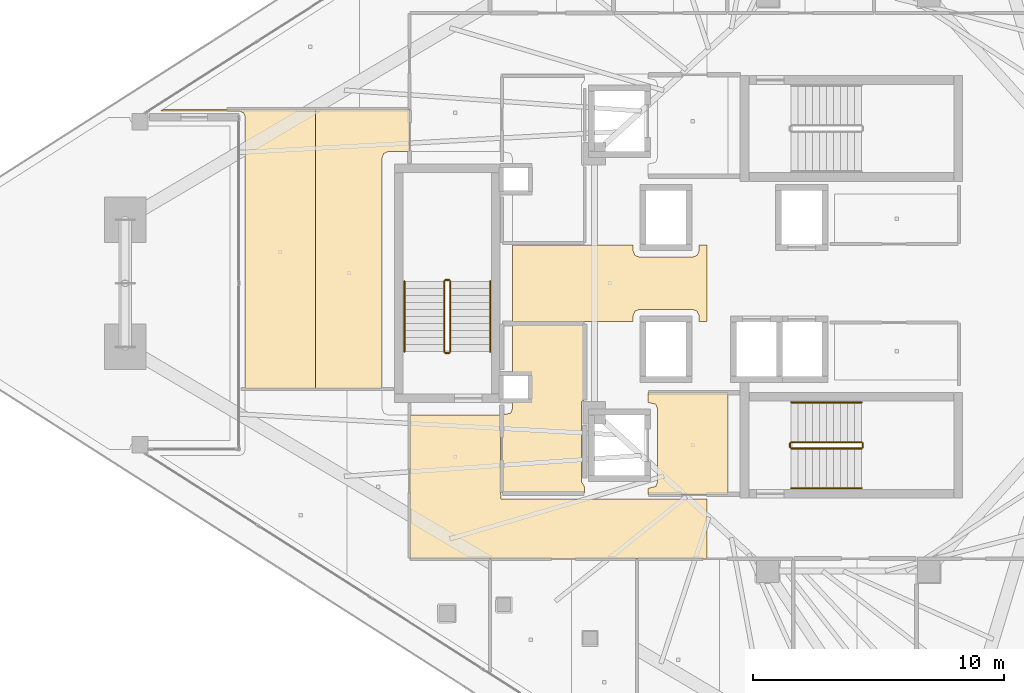
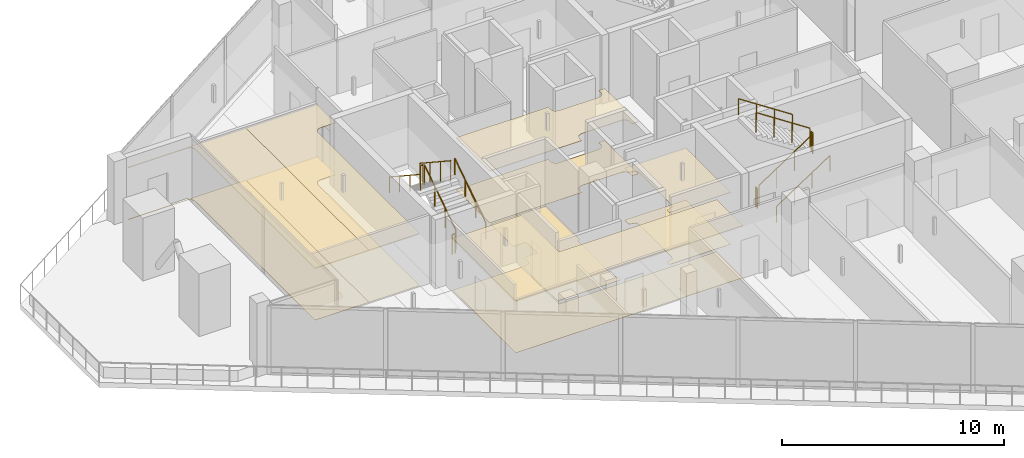
# One storey, part 32 of 36: 12 railings, 11 coverings.
"""IFC4 building model written with IfcOpenShell, lengths in metres."""

from ifc_helpers import new_model, si_unit, direction, frame, origin, origin_2d, place, context, subcontext, project, spatial, polyline, circle, outline, extrude, material, layer, layer_set, type_object, element, save


model = new_model("IFC4")

# Units and contexts
model_context = context("Model", 3, precision=1e-05, world=origin(), true_north=direction((0.0, 1.0)))
body_context = subcontext(model_context, "Body", "Model", "MODEL_VIEW")
ifc_project = project(units=[si_unit("LENGTHUNIT", "METRE"), si_unit("AREAUNIT", "SQUARE_METRE"), si_unit("VOLUMEUNIT", "CUBIC_METRE"), si_unit("PLANEANGLEUNIT", "RADIAN"), si_unit("MASSUNIT", "GRAM", prefix="KILO")], contexts=[model_context])

# Site, building, storey
site_placement = place(None, origin())
site = spatial("IfcSite", under=ifc_project, at=site_placement, CompositionType="ELEMENT")
building_placement = place(site_placement, origin())
building = spatial("IfcBuilding", under=site, at=building_placement, Name="Qorvath Tower", CompositionType="ELEMENT")
storey_placement = place(building_placement, frame((0.0, 0.0, 229.35009765625)))
storey = spatial("IfcBuildingStorey", under=building, at=storey_placement, Name="L53", CompositionType="ELEMENT", Elevation=229.35009765625)

# Coverings
ifc_material_1 = material(Name="Acoustic mineral fibre ceiling tile", Category="gypsum")
ifc_layer_1 = layer(ifc_material_1, 0.030029296875)
ifc_layer_set_1 = layer_set([ifc_layer_1], Name="COV-CEIL")
covering_type_1 = type_object("IfcCoveringType", Name="COV-CEIL", PredefinedType="CEILING", material=ifc_layer_set_1)
covering_1_placement = place(storey_placement, frame((0.0, 0.0, 2.849853515625)))
element("IfcCovering", 1, at=covering_1_placement, inside=storey, type_object=covering_type_1, Name="L53 Suspended Acoustic Ceiling 002", PredefinedType="CEILING", context=body_context, shape_type="SweptSolid", body=[
    extrude(outline(polyline([(-25.18994140625, -8.39501953125), (-25.18994140625, -4.35498046875), (-28.375, -4.35498046875), (-28.375, -4.739990234375), (-28.063232421875, -4.813232421875), (-27.989990234375, -4.989990234375), (-27.989990234375, -7.909912109375), (-28.063232421875, -8.086669921875), (-28.375, -8.159912109375), (-28.375, -8.39501953125), (-25.18994140625, -8.39501953125)])), origin(), (0.0, 0.0, 1.0), 0.030029296875),
])
covering_2_placement = place(storey_placement, frame((0.0, 0.0, 2.849853515625)))
element("IfcCovering", 2, at=covering_2_placement, inside=storey, type_object=covering_type_1, Name="L53 Suspended Acoustic Ceiling 007", PredefinedType="CEILING", context=body_context, shape_type="SweptSolid", body=[
    extrude(outline(polyline([(-34.22509765625, -8.580078125), (-34.251220703125, -5.239990234375), (-37.844970703125, -5.239990234375), (-37.844970703125, -10.945068359375), (-26.019775390625, -10.945068359375), (-26.019775390625, -8.57470703125), (-34.22509765625, -8.580078125)])), origin(), (0.0, 0.0, 1.0), 0.030029296875),
])
covering_3_placement = place(storey_placement, frame((0.0, 0.0, 2.849853515625)))
element("IfcCovering", 3, at=covering_3_placement, inside=storey, type_object=covering_type_1, Name="L53 Suspended Acoustic Ceiling 009", PredefinedType="CEILING", context=body_context, shape_type="SweptSolid", body=[
    extrude(outline(polyline([(-26.019775390625, -1.514892578125), (-26.019775390625, 1.514892578125), (-26.340087890625, 1.514892578125), (-26.340087890625, 1.2900390625), (-26.413330078125, 1.11328125), (-26.590087890625, 1.0400390625), (-28.7099609375, 1.0400390625), (-28.88671875, 1.11328125), (-28.9599609375, 1.2900390625), (-28.9599609375, 1.514892578125), (-33.760009765625, 1.514892578125), (-33.760009765625, -1.514892578125), (-28.9599609375, -1.514892578125), (-28.9599609375, -1.2900390625), (-28.88671875, -1.11328125), (-28.7099609375, -1.0400390625), (-26.590087890625, -1.0400390625), (-26.413330078125, -1.11328125), (-26.340087890625, -1.2900390625), (-26.340087890625, -1.514892578125), (-26.019775390625, -1.514892578125)])), origin(), (0.0, 0.0, 1.0), 0.030029296875),
])
covering_4_placement = place(storey_placement, frame((0.0, 0.0, 2.849853515625)))
element("IfcCovering", 4, at=covering_4_placement, inside=storey, type_object=covering_type_1, Name="L53 Suspended Acoustic Ceiling 039", PredefinedType="CEILING", context=body_context, shape_type="SweptSolid", body=[
    extrude(outline(polyline([(-44.466796875, 6.78369140625), (-44.397705078125, 6.6533203125), (-44.39306640625, -4.191650390625), (-41.5888671875, -4.191650390625), (-41.5888671875, 6.90576171875), (-47.689208984375, 6.90576171875), (-47.76171875, 6.859375), (-44.62353515625, 6.8583984375), (-44.466796875, 6.78369140625)])), origin(), (0.0, 0.0, 1.0), 0.030029296875),
])
covering_5_placement = place(storey_placement, frame((0.0, 0.0, 2.849853515625)))
element("IfcCovering", 5, at=covering_5_placement, inside=storey, type_object=covering_type_1, Name="L53 Suspended Acoustic Ceiling 040", PredefinedType="CEILING", context=body_context, shape_type="SweptSolid", body=[
    extrude(outline(polyline([(-41.5888671875, 6.90576171875), (-41.5888671875, -4.191650390625), (-38.949951171875, -4.191650390625), (-38.949951171875, 4.989990234375), (-38.876708984375, 5.166748046875), (-38.699951171875, 5.239990234375), (-37.863037109375, 5.239990234375), (-37.863037109375, 6.90576171875), (-41.5888671875, 6.90576171875)])), origin(), (0.0, 0.0, 1.0), 0.030029296875),
])
ifc_material_2 = material(Name="Low-VOC modular carpet tile", Category="textile")
ifc_layer_2 = layer(ifc_material_2, 0.014892578125)
ifc_layer_set_2 = layer_set([ifc_layer_2], Name="COV-FLOOR-CPT")
covering_type_2 = type_object("IfcCoveringType", Name="COV-FLOOR-CPT", PredefinedType="FLOORING", material=ifc_layer_set_2)
covering_6_placement = place(storey_placement, origin())
element("IfcCovering", 6, at=covering_6_placement, inside=storey, type_object=covering_type_2, Name="L53 Floor Finish 006", PredefinedType="FLOORING", context=body_context, shape_type="SweptSolid", body=[
    extrude(outline(polyline([(-30.885009765625, -1.60498046875), (-33.760009765625, -1.60498046875), (-33.760009765625, -3.636962890625), (-33.08837890625, -3.638427734375), (-33.0869140625, -4.6279296875), (-33.760009765625, -4.633056640625), (-33.760009765625, -4.989990234375), (-33.833251953125, -5.166748046875), (-34.175048828125, -5.239990234375), (-34.175048828125, -8.344970703125), (-30.885009765625, -8.344970703125), (-30.885009765625, -8.108154296875), (-31.010009765625, -7.909912109375), (-31.010009765625, -4.989990234375), (-31.010009765625, -4.699951171875), (-30.885009765625, -4.639892578125), (-30.885009765625, -1.60498046875)])), origin(), (0.0, 0.0, 1.0), 0.014892578125),
])
covering_7_placement = place(storey_placement, origin())
element("IfcCovering", 7, at=covering_7_placement, inside=storey, type_object=covering_type_2, Name="L53 Floor Finish 039", PredefinedType="FLOORING", context=body_context, shape_type="SweptSolid", body=[
    extrude(outline(polyline([(-44.466796875, 6.78369140625), (-44.397705078125, 6.6533203125), (-44.39306640625, -4.191650390625), (-41.5888671875, -4.191650390625), (-41.5888671875, 6.90576171875), (-47.689208984375, 6.90576171875), (-47.76171875, 6.859375), (-44.62353515625, 6.8583984375), (-44.466796875, 6.78369140625)])), origin(), (0.0, 0.0, 1.0), 0.014892578125),
])
covering_8_placement = place(storey_placement, origin())
element("IfcCovering", 8, at=covering_8_placement, inside=storey, type_object=covering_type_2, Name="L53 Floor Finish 040", PredefinedType="FLOORING", context=body_context, shape_type="SweptSolid", body=[
    extrude(outline(polyline([(-41.5888671875, 6.90576171875), (-41.5888671875, -4.191650390625), (-38.949951171875, -4.191650390625), (-38.949951171875, 4.989990234375), (-38.876708984375, 5.166748046875), (-38.699951171875, 5.239990234375), (-37.863037109375, 5.239990234375), (-37.863037109375, 6.90576171875), (-41.5888671875, 6.90576171875)])), origin(), (0.0, 0.0, 1.0), 0.014892578125),
])
ifc_material_3 = material(Name="Polished epoxy terrazzo flooring", Category="concrete")
ifc_layer_3 = layer(ifc_material_3, 0.02001953125)
ifc_layer_set_3 = layer_set([ifc_layer_3], Name="COV-FLOOR-TRZ")
covering_type_3 = type_object("IfcCoveringType", Name="COV-FLOOR-TRZ", PredefinedType="FLOORING", material=ifc_layer_set_3)
covering_9_placement = place(storey_placement, origin())
element("IfcCovering", 9, at=covering_9_placement, inside=storey, type_object=covering_type_3, Name="L53 Floor Finish 002", PredefinedType="FLOORING", context=body_context, shape_type="SweptSolid", body=[
    extrude(outline(polyline([(-25.18994140625, -8.39501953125), (-25.18994140625, -4.35498046875), (-28.375, -4.35498046875), (-28.375, -4.739990234375), (-28.063232421875, -4.813232421875), (-27.989990234375, -4.989990234375), (-27.989990234375, -7.909912109375), (-28.063232421875, -8.086669921875), (-28.375, -8.159912109375), (-28.375, -8.39501953125), (-25.18994140625, -8.39501953125)])), origin(), (0.0, 0.0, 1.0), 0.014892578125),
])
covering_10_placement = place(storey_placement, origin())
element("IfcCovering", 10, at=covering_10_placement, inside=storey, type_object=covering_type_3, Name="L53 Floor Finish 007", PredefinedType="FLOORING", context=body_context, shape_type="SweptSolid", body=[
    extrude(outline(polyline([(-34.22509765625, -8.580078125), (-34.251220703125, -5.239990234375), (-37.844970703125, -5.239990234375), (-37.844970703125, -10.945068359375), (-26.019775390625, -10.945068359375), (-26.019775390625, -8.57470703125), (-34.22509765625, -8.580078125)])), origin(), (0.0, 0.0, 1.0), 0.014892578125),
])
covering_11_placement = place(storey_placement, origin())
element("IfcCovering", 11, at=covering_11_placement, inside=storey, type_object=covering_type_3, Name="L53 Floor Finish 009", PredefinedType="FLOORING", context=body_context, shape_type="SweptSolid", body=[
    extrude(outline(polyline([(-26.019775390625, -1.514892578125), (-26.019775390625, 1.514892578125), (-26.340087890625, 1.514892578125), (-26.340087890625, 1.2900390625), (-26.413330078125, 1.11328125), (-26.590087890625, 1.0400390625), (-28.7099609375, 1.0400390625), (-28.88671875, 1.11328125), (-28.9599609375, 1.2900390625), (-28.9599609375, 1.514892578125), (-33.760009765625, 1.514892578125), (-33.760009765625, -1.514892578125), (-28.9599609375, -1.514892578125), (-28.9599609375, -1.2900390625), (-28.88671875, -1.11328125), (-28.7099609375, -1.0400390625), (-26.590087890625, -1.0400390625), (-26.413330078125, -1.11328125), (-26.340087890625, -1.2900390625), (-26.340087890625, -1.514892578125), (-26.019775390625, -1.514892578125)])), origin(), (0.0, 0.0, 1.0), 0.014892578125),
])

# Railings
ifc_material_4 = material(Name="Painted galvanised steel", Category="steel")
railing_type_1 = type_object("IfcRailingType", Name="RL-STR-GRD", PredefinedType="GUARDRAIL", material=ifc_material_4)
railing_1_placement = place(storey_placement, frame((-22.669921875, -6.570068359375, 0.18408203125)))
element("IfcRailing", 12, at=railing_1_placement, inside=storey, type_object=railing_type_1, Name="L53 TS2 stair guard 1", PredefinedType="GUARDRAIL", context=body_context, shape_type="SweptSolid", body=[
    extrude(circle(Radius=0.02392578125, at=origin_2d()), frame((0.0, 0.0, 1.076171875), z_axis=(0.835575518608, 0.0, 0.549375602573), x_axis=(0.0, 1.0, 0.0)), (0.0, 0.0, 1.0), 3.350830078125),
    extrude(circle(Radius=0.02099609375, at=origin_2d()), origin(), (0.0, 0.0, 1.0), 1.052001953125),
    extrude(circle(Radius=0.02099609375, at=origin_2d()), frame((0.933349609375, 0.0, 0.613525390625)), (0.0, 0.0, 1.0), 1.052001953125),
    extrude(circle(Radius=0.02099609375, at=origin_2d()), frame((1.866455078125, 0.0, 1.227294921875)), (0.0, 0.0, 1.0), 1.052001953125),
    extrude(circle(Radius=0.02099609375, at=origin_2d()), frame((2.7998046875, 0.0, 1.8408203125)), (0.0, 0.0, 1.0), 1.052001953125),
])
railing_2_placement = place(storey_placement, frame((-19.820068359375, -6.52001953125, 2.02490234375)))
element("IfcRailing", 13, at=railing_2_placement, inside=storey, type_object=railing_type_1, Name="L53 TS2 stair guard 2", PredefinedType="GUARDRAIL", context=body_context, shape_type="SweptSolid", body=[
    extrude(circle(Radius=0.02392578125, at=origin_2d()), frame((0.0, 0.0, 1.076171875), z_axis=(0.0, 1.0, 0.0), x_axis=(-1.0, 0.0, 0.0)), (0.0, 0.0, 1.0), 0.14990234375),
    extrude(circle(Radius=0.02099609375, at=origin_2d()), origin(), (0.0, 0.0, 1.0), 1.052001953125),
    extrude(circle(Radius=0.02099609375, at=origin_2d()), frame((0.0, 0.14990234375, 0.0)), (0.0, 0.0, 1.0), 1.052001953125),
])
railing_3_placement = place(storey_placement, frame((-19.8701171875, -6.320068359375, 2.208984375)))
element("IfcRailing", 14, at=railing_3_placement, inside=storey, type_object=railing_type_1, Name="L53 TS2 stair guard 3", PredefinedType="GUARDRAIL", context=body_context, shape_type="SweptSolid", body=[
    extrude(circle(Radius=0.02392578125, at=origin_2d()), frame((0.0, 0.0, 1.076171875), z_axis=(-0.835575518608, 0.0, 0.549375602573), x_axis=(0.0, -1.0, 0.0)), (0.0, 0.0, 1.0), 3.350830078125),
    extrude(circle(Radius=0.02099609375, at=origin_2d()), origin(), (0.0, 0.0, 1.0), 1.052001953125),
    extrude(circle(Radius=0.02099609375, at=origin_2d()), frame((-0.933349609375, 0.0, 0.613525390625)), (0.0, 0.0, 1.0), 1.052001953125),
    extrude(circle(Radius=0.02099609375, at=origin_2d()), frame((-1.866455078125, 0.0, 1.227294921875)), (0.0, 0.0, 1.0), 1.052001953125),
    extrude(circle(Radius=0.02099609375, at=origin_2d()), frame((-2.7998046875, 0.0, 1.8408203125)), (0.0, 0.0, 1.0), 1.052001953125),
])
railing_4_placement = place(storey_placement, frame((-22.719970703125, -6.52001953125, 0.0)))
element("IfcRailing", 15, at=railing_4_placement, inside=storey, type_object=railing_type_1, Name="L53 TS2 stair guard 4", PredefinedType="GUARDRAIL", context=body_context, shape_type="SweptSolid", body=[
    extrude(circle(Radius=0.02392578125, at=origin_2d()), frame((0.0, 0.0, 1.076171875), z_axis=(0.0, 1.0, 0.0), x_axis=(-1.0, 0.0, 0.0)), (0.0, 0.0, 1.0), 0.14990234375),
    extrude(circle(Radius=0.02099609375, at=origin_2d()), origin(), (0.0, 0.0, 1.0), 1.052001953125),
    extrude(circle(Radius=0.02099609375, at=origin_2d()), frame((0.0, 0.14990234375, 0.0)), (0.0, 0.0, 1.0), 1.052001953125),
])
railing_5_placement = place(storey_placement, frame((-36.22998046875, -2.719970703125, 0.18408203125)))
element("IfcRailing", 16, at=railing_5_placement, inside=storey, type_object=railing_type_1, Name="L53 TS3 stair guard 1", PredefinedType="GUARDRAIL", context=body_context, shape_type="SweptSolid", body=[
    extrude(circle(Radius=0.02392578125, at=origin_2d()), frame((0.0, 0.0, 1.076171875), z_axis=(0.0, 0.835597507184, 0.549342157483), x_axis=(-1.0, 0.0, 0.0)), (0.0, 0.0, 1.0), 3.35107421875),
    extrude(circle(Radius=0.02099609375, at=origin_2d()), origin(), (0.0, 0.0, 1.0), 1.052001953125),
    extrude(circle(Radius=0.02099609375, at=origin_2d()), frame((0.0, 0.933349609375, 0.613525390625)), (0.0, 0.0, 1.0), 1.052001953125),
    extrude(circle(Radius=0.02099609375, at=origin_2d()), frame((0.0, 1.86669921875, 1.227294921875)), (0.0, 0.0, 1.0), 1.052001953125),
    extrude(circle(Radius=0.02099609375, at=origin_2d()), frame((0.0, 2.800048828125, 1.8408203125)), (0.0, 0.0, 1.0), 1.052001953125),
])
railing_6_placement = place(storey_placement, frame((-36.280029296875, 0.1298828125, 2.02490234375)))
element("IfcRailing", 17, at=railing_6_placement, inside=storey, type_object=railing_type_1, Name="L53 TS3 stair guard 2", PredefinedType="GUARDRAIL", context=body_context, shape_type="SweptSolid", body=[
    extrude(circle(Radius=0.02392578125, at=origin_2d()), frame((0.0, 0.0, 1.076171875), z_axis=(-1.0, 0.0, 0.0), x_axis=(0.0, -1.0, 0.0)), (0.0, 0.0, 1.0), 0.14990234375),
    extrude(circle(Radius=0.02099609375, at=origin_2d()), origin(), (0.0, 0.0, 1.0), 1.052001953125),
    extrude(circle(Radius=0.02099609375, at=origin_2d()), frame((-0.14990234375, 0.0, 0.0)), (0.0, 0.0, 1.0), 1.052001953125),
])
railing_7_placement = place(storey_placement, frame((-36.47998046875, 0.080078125, 2.208984375)))
element("IfcRailing", 18, at=railing_7_placement, inside=storey, type_object=railing_type_1, Name="L53 TS3 stair guard 3", PredefinedType="GUARDRAIL", context=body_context, shape_type="SweptSolid", body=[
    extrude(circle(Radius=0.02392578125, at=origin_2d()), frame((0.0, 0.0, 1.076171875), z_axis=(0.0, -0.835597507184, 0.549342157483), x_axis=(1.0, 0.0, 0.0)), (0.0, 0.0, 1.0), 3.35107421875),
    extrude(circle(Radius=0.02099609375, at=origin_2d()), origin(), (0.0, 0.0, 1.0), 1.052001953125),
    extrude(circle(Radius=0.02099609375, at=origin_2d()), frame((0.0, -0.933349609375, 0.613525390625)), (0.0, 0.0, 1.0), 1.052001953125),
    extrude(circle(Radius=0.02099609375, at=origin_2d()), frame((0.0, -1.86669921875, 1.227294921875)), (0.0, 0.0, 1.0), 1.052001953125),
    extrude(circle(Radius=0.02099609375, at=origin_2d()), frame((0.0, -2.800048828125, 1.8408203125)), (0.0, 0.0, 1.0), 1.052001953125),
])
railing_8_placement = place(storey_placement, frame((-36.280029296875, -2.77001953125, 0.0)))
element("IfcRailing", 19, at=railing_8_placement, inside=storey, type_object=railing_type_1, Name="L53 TS3 stair guard 4", PredefinedType="GUARDRAIL", context=body_context, shape_type="SweptSolid", body=[
    extrude(circle(Radius=0.02392578125, at=origin_2d()), frame((0.0, 0.0, 1.076171875), z_axis=(-1.0, 0.0, 0.0), x_axis=(0.0, -1.0, 0.0)), (0.0, 0.0, 1.0), 0.14990234375),
    extrude(circle(Radius=0.02099609375, at=origin_2d()), origin(), (0.0, 0.0, 1.0), 1.052001953125),
    extrude(circle(Radius=0.02099609375, at=origin_2d()), frame((-0.14990234375, 0.0, 0.0)), (0.0, 0.0, 1.0), 1.052001953125),
])
ifc_material_5 = material(Name="Brushed stainless steel AISI 304", Category="steel")
railing_type_2 = type_object("IfcRailingType", Name="RL-STR-HND", PredefinedType="HANDRAIL", material=ifc_material_5)
railing_9_placement = place(storey_placement, frame((-22.669921875, -8.14990234375, 0.18408203125)))
element("IfcRailing", 20, at=railing_9_placement, inside=storey, type_object=railing_type_2, Name="L53 TS2 stair handrail 1", PredefinedType="HANDRAIL", context=body_context, shape_type="SweptSolid", body=[
    extrude(circle(Radius=0.02392578125, at=origin_2d()), frame((0.0, 0.0, 0.8759765625), z_axis=(0.835575518608, 0.0, 0.549375602573), x_axis=(0.0, 1.0, 0.0)), (0.0, 0.0, 1.0), 3.350830078125),
    extrude(circle(Radius=0.02099609375, at=origin_2d()), origin(), (0.0, 0.0, 1.0), 0.851806640625),
    extrude(circle(Radius=0.02099609375, at=origin_2d()), frame((0.933349609375, 0.0, 0.613525390625)), (0.0, 0.0, 1.0), 0.851806640625),
    extrude(circle(Radius=0.02099609375, at=origin_2d()), frame((1.866455078125, 0.0, 1.227294921875)), (0.0, 0.0, 1.0), 0.851806640625),
    extrude(circle(Radius=0.02099609375, at=origin_2d()), frame((2.7998046875, 0.0, 1.8408203125)), (0.0, 0.0, 1.0), 0.851806640625),
])
railing_10_placement = place(storey_placement, frame((-19.8701171875, -4.739990234375, 2.208984375)))
element("IfcRailing", 21, at=railing_10_placement, inside=storey, type_object=railing_type_2, Name="L53 TS2 stair handrail 2", PredefinedType="HANDRAIL", context=body_context, shape_type="SweptSolid", body=[
    extrude(circle(Radius=0.02392578125, at=origin_2d()), frame((0.0, 0.0, 0.8759765625), z_axis=(-0.835575518608, 0.0, 0.549375602573), x_axis=(0.0, -1.0, 0.0)), (0.0, 0.0, 1.0), 3.350830078125),
    extrude(circle(Radius=0.02099609375, at=origin_2d()), origin(), (0.0, 0.0, 1.0), 0.851806640625),
    extrude(circle(Radius=0.02099609375, at=origin_2d()), frame((-0.933349609375, 0.0, 0.613525390625)), (0.0, 0.0, 1.0), 0.851806640625),
    extrude(circle(Radius=0.02099609375, at=origin_2d()), frame((-1.866455078125, 0.0, 1.227294921875)), (0.0, 0.0, 1.0), 0.851806640625),
    extrude(circle(Radius=0.02099609375, at=origin_2d()), frame((-2.7998046875, 0.0, 1.8408203125)), (0.0, 0.0, 1.0), 0.851806640625),
])
railing_11_placement = place(storey_placement, frame((-34.64990234375, -2.719970703125, 0.18408203125)))
element("IfcRailing", 22, at=railing_11_placement, inside=storey, type_object=railing_type_2, Name="L53 TS3 stair handrail 1", PredefinedType="HANDRAIL", context=body_context, shape_type="SweptSolid", body=[
    extrude(circle(Radius=0.02392578125, at=origin_2d()), frame((0.0, 0.0, 0.8759765625), z_axis=(0.0, 0.835597507184, 0.549342157483), x_axis=(-1.0, 0.0, 0.0)), (0.0, 0.0, 1.0), 3.35107421875),
    extrude(circle(Radius=0.02099609375, at=origin_2d()), origin(), (0.0, 0.0, 1.0), 0.851806640625),
    extrude(circle(Radius=0.02099609375, at=origin_2d()), frame((0.0, 0.933349609375, 0.613525390625)), (0.0, 0.0, 1.0), 0.851806640625),
    extrude(circle(Radius=0.02099609375, at=origin_2d()), frame((0.0, 1.86669921875, 1.227294921875)), (0.0, 0.0, 1.0), 0.851806640625),
    extrude(circle(Radius=0.02099609375, at=origin_2d()), frame((0.0, 2.800048828125, 1.8408203125)), (0.0, 0.0, 1.0), 0.851806640625),
])
railing_12_placement = place(storey_placement, frame((-38.06005859375, 0.080078125, 2.208984375)))
element("IfcRailing", 23, at=railing_12_placement, inside=storey, type_object=railing_type_2, Name="L53 TS3 stair handrail 2", PredefinedType="HANDRAIL", context=body_context, shape_type="SweptSolid", body=[
    extrude(circle(Radius=0.02392578125, at=origin_2d()), frame((0.0, 0.0, 0.8759765625), z_axis=(0.0, -0.835597507184, 0.549342157483), x_axis=(1.0, 0.0, 0.0)), (0.0, 0.0, 1.0), 3.35107421875),
    extrude(circle(Radius=0.02099609375, at=origin_2d()), origin(), (0.0, 0.0, 1.0), 0.851806640625),
    extrude(circle(Radius=0.02099609375, at=origin_2d()), frame((0.0, -0.933349609375, 0.613525390625)), (0.0, 0.0, 1.0), 0.851806640625),
    extrude(circle(Radius=0.02099609375, at=origin_2d()), frame((0.0, -1.86669921875, 1.227294921875)), (0.0, 0.0, 1.0), 0.851806640625),
    extrude(circle(Radius=0.02099609375, at=origin_2d()), frame((0.0, -2.800048828125, 1.8408203125)), (0.0, 0.0, 1.0), 0.851806640625),
])

save(model, "model.ifc")
